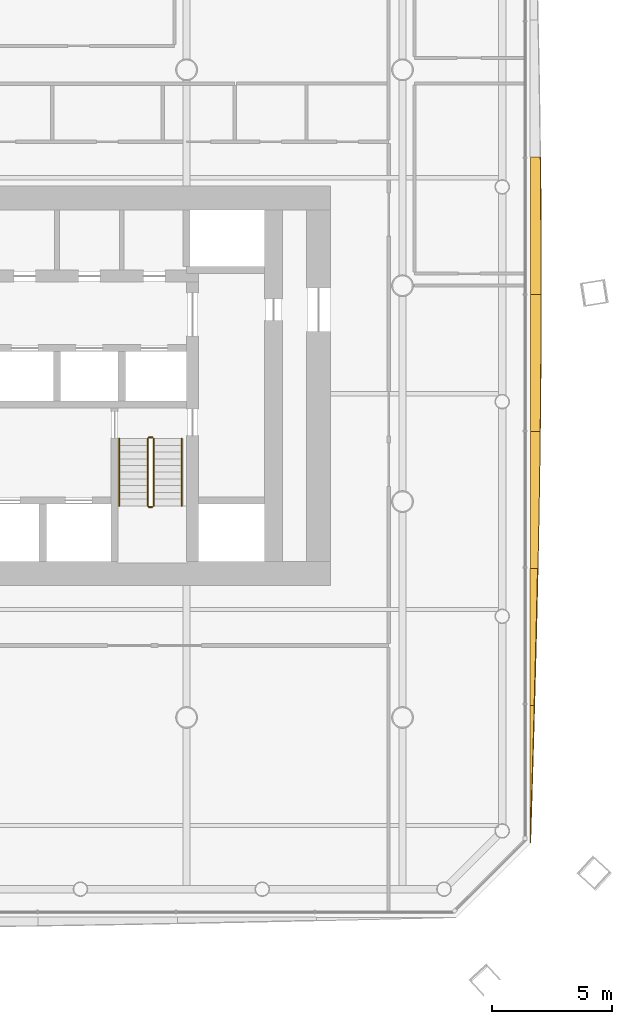
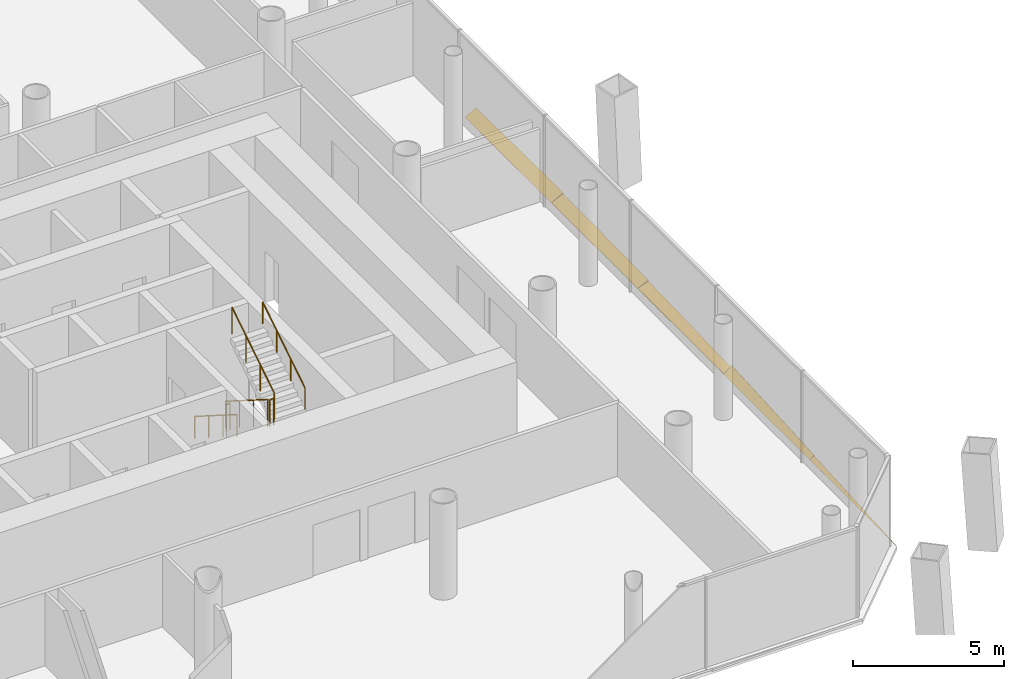
# One storey, part 18 of 20: 6 railings, 5 shading devices.
"""IFC4 building model written with IfcOpenShell, lengths in metres."""

from ifc_helpers import new_model, si_unit, direction, frame, origin, origin_2d, place, context, subcontext, project, spatial, polyline, circle, outline, extrude, material, layer, layer_set, type_object, element, save


model = new_model("IFC4")

# Units and contexts
model_context = context("Model", 3, precision=1e-05, world=origin(), true_north=direction((0.0, 1.0)))
body_context = subcontext(model_context, "Body", "Model", "MODEL_VIEW")
ifc_project = project(units=[si_unit("LENGTHUNIT", "METRE"), si_unit("AREAUNIT", "SQUARE_METRE"), si_unit("VOLUMEUNIT", "CUBIC_METRE"), si_unit("PLANEANGLEUNIT", "RADIAN"), si_unit("MASSUNIT", "GRAM", prefix="KILO")], contexts=[model_context])

# Site, building, storey
site_placement = place(None, origin())
site = spatial("IfcSite", under=ifc_project, at=site_placement, CompositionType="ELEMENT")
building_placement = place(site_placement, origin())
building = spatial("IfcBuilding", under=site, at=building_placement, Name="Tskaro Facet Tower", CompositionType="ELEMENT")
storey_placement = place(building_placement, frame((0.0, 0.0, 49.800048828125)))
storey = spatial("IfcBuildingStorey", under=building, at=storey_placement, Name="L11", CompositionType="ELEMENT", Elevation=49.800048828125)

# Shading devices
ifc_material_1 = material(Name="Bronze anodised aluminium 6063-T6", Category="aluminium")
ifc_layer = layer(ifc_material_1, 0.06005859375, Name="Bronze anodised aluminium 6063-T6")
ifc_layer_set = layer_set([ifc_layer], Name="Bronze anodised aluminium 6063-T6")
shading_device_type = type_object("IfcShadingDeviceType", Name="Bronze sun blade (FN1)", PredefinedType="USERDEFINED", material=ifc_layer_set)
shading_device_1_placement = place(storey_placement, frame((23.322509765625, -23.22607421875, 0.049072265625), z_axis=(-0.573502282869, 1.67675e-06, 0.819203962113), x_axis=(9.6162e-07, 0.999999999999, -1.3736e-06)))
element("IfcShadingDevice", 1, at=shading_device_1_placement, inside=storey, type_object=shading_device_type, Name="Fin blade east 1", ObjectType="FIN", PredefinedType="USERDEFINED", context=body_context, shape_type="SweptSolid", body=[
    extrude(outline(polyline([(0.0, 0.0), (5.717041015616963, 0.0), (5.717041015633528, -0.2026478957235067), (5.002441406123395, -0.1782669496744541), (4.287841796948612, -0.15374598841962286), (3.573242187639641, -0.12868501002438687), (2.8583984372361297, -0.10322402969452489), (2.143798828363091, -0.0776830199204185), (1.4291992186851594, -0.0518820234174648), (0.7145996093425797, -0.0259410117087324), (0.0, 0.0)])), origin(), (0.0, 0.0, -1.0), 0.06005859375),
])
shading_device_2_placement = place(storey_placement, frame((23.318359375, -17.509033203125, 0.0458984375), z_axis=(-0.64266949298, -9.60934e-06, 0.766143539227), x_axis=(-6.17563e-06, 0.999999999954, 7.362134e-06)))
element("IfcShadingDevice", 2, at=shading_device_2_placement, inside=storey, type_object=shading_device_type, Name="Fin blade east 2", ObjectType="FIN", PredefinedType="USERDEFINED", context=body_context, shape_type="SweptSolid", body=[
    extrude(outline(polyline([(0.0, 0.0), (5.716796874736057, 0.0), (5.716796875143408, -0.40186799966188635), (5.002197265236234, -0.3814243133495413), (4.287597656257433, -0.36010568328626646), (3.5729980482070083, -0.33791210947206185), (2.858398436272117, -0.315060783700266), (2.1437988285707177, -0.29130436914671703), (1.4291992187822495, -0.26704710436726886), (0.7145996084144333, -0.24210194259940615), (-7.353347609571484e-10, -0.21662578557482084), (0.0, 0.0)])), origin(), (0.0, 0.0, -1.0), 0.06005859375),
])
shading_device_3_placement = place(storey_placement, frame((23.33642578125, -11.792236328125, 0.056396484375), z_axis=(-0.341870731863, 1.6406188e-05, 0.939746988517), x_axis=(5.608795e-06, 0.999999999865, -1.5417666e-05)))
element("IfcShadingDevice", 3, at=shading_device_3_placement, inside=storey, type_object=shading_device_type, Name="Fin blade east 3", ObjectType="FIN", PredefinedType="USERDEFINED", context=body_context, shape_type="SweptSolid", body=[
    extrude(outline(polyline([(0.0, 0.0), (5.716796874230625, 0.0), (5.716796876217753, -0.4309541761475178), (5.002197263837222, -0.4211507813518002), (4.287597654876844, -0.4104921662363199), (3.5729980479672836, -0.39874890038392785), (2.8583984369497184, -0.38631734328008804), (2.1437988279829714, -0.37280113543933646), (1.4291992186722982, -0.3585131718129797), (0.7145996090176991, -0.3434534524010179), (-9.808258809564856e-10, -0.3276219772034508), (0.0, 0.0)])), origin(), (0.0, 0.0, -1.0), 0.06005859375),
])
shading_device_4_placement = place(storey_placement, frame((23.33154296875, -6.075439453125, 0.054443359375), z_axis=(-0.422391571581, 3.323875e-06, 0.906413459877), x_axis=(1.403977e-06, 0.999999999994, -3.012805e-06)))
element("IfcShadingDevice", 4, at=shading_device_4_placement, inside=storey, type_object=shading_device_type, Name="Fin blade east 4", ObjectType="FIN", PredefinedType="USERDEFINED", context=body_context, shape_type="SweptSolid", body=[
    extrude(outline(polyline([(0.0, 0.0), (5.717041015593419, 0.0), (5.717041015785992, -0.4891089142346964), (5.002441405829428, -0.48757491425851), (4.287841797051207, -0.48506766840966853), (3.5729980466696953, -0.48135083787552563), (2.8583984373559757, -0.4767638844110087), (2.1437988285350613, -0.4707611003766284), (1.4291992190786242, -0.4637700240055509), (0.7145996089866639, -0.45579065529777607), (7.304473029301774e-11, -0.4468380407173461), (0.0, 0.0)])), origin(), (0.0, 0.0, -1.0), 0.06005859375),
])
shading_device_5_placement = place(storey_placement, frame((23.326904296875, -0.3583984375, 0.052001953125), z_axis=(-0.499805383884, -1.641294e-06, 0.866137736297), x_axis=(-8.20327e-07, 0.999999999999, 1.421586e-06)))
element("IfcShadingDevice", 5, at=shading_device_5_placement, inside=storey, type_object=shading_device_type, Name="Fin blade east 5", ObjectType="FIN", PredefinedType="USERDEFINED", context=body_context, shape_type="SweptSolid", body=[
    extrude(outline(polyline([(0.0, 0.0), (5.7167968749922995, 6.05289413235678e-22), (5.716796875050578, -0.4786404180765247), (5.002197265568422, -0.4870585879044025), (4.287597656193234, -0.4943868745015766), (3.572998046925011, -0.500625277868047), (2.858398437616964, -0.5054403157967378), (2.1437988282690927, -0.5088319882876489), (1.4291992186811213, -0.5110117547490564), (0.7145996092001169, -0.51210163797976), (0.5488281248253403, -0.51210163797976), (2.6354667952014062e-11, -0.5118901785714841), (0.0, 0.0)])), origin(), (0.0, 0.0, -1.0), 0.06005859375),
])

# Railings
ifc_material_2 = material(Name="Stainless steel", Category="steel")
railing_type_1 = type_object("IfcRailingType", Name="RL-GUARD-1100", PredefinedType="GUARDRAIL", material=ifc_material_2)
railing_1_placement = place(storey_placement, frame((7.375, -6.375, 0.17724609375)))
element("IfcRailing", 6, at=railing_1_placement, inside=storey, type_object=railing_type_1, Name="L11 ST-2 stair guard 1", PredefinedType="GUARDRAIL", context=body_context, shape_type="SweptSolid", body=[
    extrude(circle(Radius=0.02392578125, at=origin_2d()), frame((0.0, 0.0, 1.076171875), z_axis=(0.0, -0.844908973607, 0.534910110503), x_axis=(1.0, 0.0, 0.0)), (0.0, 0.0, 1.0), 3.31396484375),
    extrude(circle(Radius=0.02099609375, at=origin_2d()), origin(), (0.0, 0.0, 1.0), 1.052001953125),
    extrude(circle(Radius=0.02099609375, at=origin_2d()), frame((0.0, -0.933349609375, 0.5908203125)), (0.0, 0.0, 1.0), 1.052001953125),
    extrude(circle(Radius=0.02099609375, at=origin_2d()), frame((0.0, -1.86669921875, 1.181884765625)), (0.0, 0.0, 1.0), 1.052001953125),
    extrude(circle(Radius=0.02099609375, at=origin_2d()), frame((0.0, -2.800048828125, 1.772705078125)), (0.0, 0.0, 1.0), 1.052001953125),
])
railing_2_placement = place(storey_placement, frame((7.425048828125, -9.22509765625, 1.949951171875)))
element("IfcRailing", 7, at=railing_2_placement, inside=storey, type_object=railing_type_1, Name="L11 ST-2 stair guard 2", PredefinedType="GUARDRAIL", context=body_context, shape_type="SweptSolid", body=[
    extrude(circle(Radius=0.02392578125, at=origin_2d()), frame((0.0, 0.0, 1.076171875), z_axis=(1.0, 0.0, 0.0), x_axis=(0.0, 1.0, 0.0)), (0.0, 0.0, 1.0), 0.14990234375),
    extrude(circle(Radius=0.02099609375, at=origin_2d()), origin(), (0.0, 0.0, 1.0), 1.052001953125),
    extrude(circle(Radius=0.02099609375, at=origin_2d()), frame((0.14990234375, 0.0, 0.0)), (0.0, 0.0, 1.0), 1.052001953125),
])
railing_3_placement = place(storey_placement, frame((7.625, -9.175048828125, 2.127197265625)))
element("IfcRailing", 8, at=railing_3_placement, inside=storey, type_object=railing_type_1, Name="L11 ST-2 stair guard 3", PredefinedType="GUARDRAIL", context=body_context, shape_type="SweptSolid", body=[
    extrude(circle(Radius=0.02392578125, at=origin_2d()), frame((0.0, 0.0, 1.076171875), z_axis=(0.0, 0.844908973607, 0.534910110503), x_axis=(-1.0, 0.0, 0.0)), (0.0, 0.0, 1.0), 3.31396484375),
    extrude(circle(Radius=0.02099609375, at=origin_2d()), origin(), (0.0, 0.0, 1.0), 1.052001953125),
    extrude(circle(Radius=0.02099609375, at=origin_2d()), frame((0.0, 0.933349609375, 0.5908203125)), (0.0, 0.0, 1.0), 1.052001953125),
    extrude(circle(Radius=0.02099609375, at=origin_2d()), frame((0.0, 1.86669921875, 1.181884765625)), (0.0, 0.0, 1.0), 1.052001953125),
    extrude(circle(Radius=0.02099609375, at=origin_2d()), frame((0.0, 2.800048828125, 1.772705078125)), (0.0, 0.0, 1.0), 1.052001953125),
])
railing_4_placement = place(storey_placement, frame((7.425048828125, -6.324951171875, 0.0)))
element("IfcRailing", 9, at=railing_4_placement, inside=storey, type_object=railing_type_1, Name="L11 ST-2 stair guard 4", PredefinedType="GUARDRAIL", context=body_context, shape_type="SweptSolid", body=[
    extrude(circle(Radius=0.02392578125, at=origin_2d()), frame((0.0, 0.0, 1.076171875), z_axis=(1.0, 0.0, 0.0), x_axis=(0.0, 1.0, 0.0)), (0.0, 0.0, 1.0), 0.14990234375),
    extrude(circle(Radius=0.02099609375, at=origin_2d()), origin(), (0.0, 0.0, 1.0), 1.052001953125),
    extrude(circle(Radius=0.02099609375, at=origin_2d()), frame((0.14990234375, 0.0, 0.0)), (0.0, 0.0, 1.0), 1.052001953125),
])
railing_type_2 = type_object("IfcRailingType", Name="RL-HANDRAIL-900", PredefinedType="HANDRAIL", material=ifc_material_2)
railing_5_placement = place(storey_placement, frame((6.199951171875, -6.375, 0.17724609375)))
element("IfcRailing", 10, at=railing_5_placement, inside=storey, type_object=railing_type_2, Name="L11 ST-2 stair handrail 1", PredefinedType="HANDRAIL", context=body_context, shape_type="SweptSolid", body=[
    extrude(circle(Radius=0.02392578125, at=origin_2d()), frame((0.0, 0.0, 0.8759765625), z_axis=(0.0, -0.844908973607, 0.534910110503), x_axis=(1.0, 0.0, 0.0)), (0.0, 0.0, 1.0), 3.31396484375),
    extrude(circle(Radius=0.02099609375, at=origin_2d()), origin(), (0.0, 0.0, 1.0), 0.851806640625),
    extrude(circle(Radius=0.02099609375, at=origin_2d()), frame((0.0, -0.933349609375, 0.5908203125)), (0.0, 0.0, 1.0), 0.851806640625),
    extrude(circle(Radius=0.02099609375, at=origin_2d()), frame((0.0, -1.86669921875, 1.181884765625)), (0.0, 0.0, 1.0), 0.851806640625),
    extrude(circle(Radius=0.02099609375, at=origin_2d()), frame((0.0, -2.800048828125, 1.772705078125)), (0.0, 0.0, 1.0), 0.851806640625),
])
railing_6_placement = place(storey_placement, frame((8.800048828125, -9.175048828125, 2.127197265625)))
element("IfcRailing", 11, at=railing_6_placement, inside=storey, type_object=railing_type_2, Name="L11 ST-2 stair handrail 2", PredefinedType="HANDRAIL", context=body_context, shape_type="SweptSolid", body=[
    extrude(circle(Radius=0.02392578125, at=origin_2d()), frame((0.0, 0.0, 0.8759765625), z_axis=(0.0, 0.844908973607, 0.534910110503), x_axis=(-1.0, 0.0, 0.0)), (0.0, 0.0, 1.0), 3.31396484375),
    extrude(circle(Radius=0.02099609375, at=origin_2d()), origin(), (0.0, 0.0, 1.0), 0.851806640625),
    extrude(circle(Radius=0.02099609375, at=origin_2d()), frame((0.0, 0.933349609375, 0.5908203125)), (0.0, 0.0, 1.0), 0.851806640625),
    extrude(circle(Radius=0.02099609375, at=origin_2d()), frame((0.0, 1.86669921875, 1.181884765625)), (0.0, 0.0, 1.0), 0.851806640625),
    extrude(circle(Radius=0.02099609375, at=origin_2d()), frame((0.0, 2.800048828125, 1.772705078125)), (0.0, 0.0, 1.0), 0.851806640625),
])

save(model, "model.ifc")
